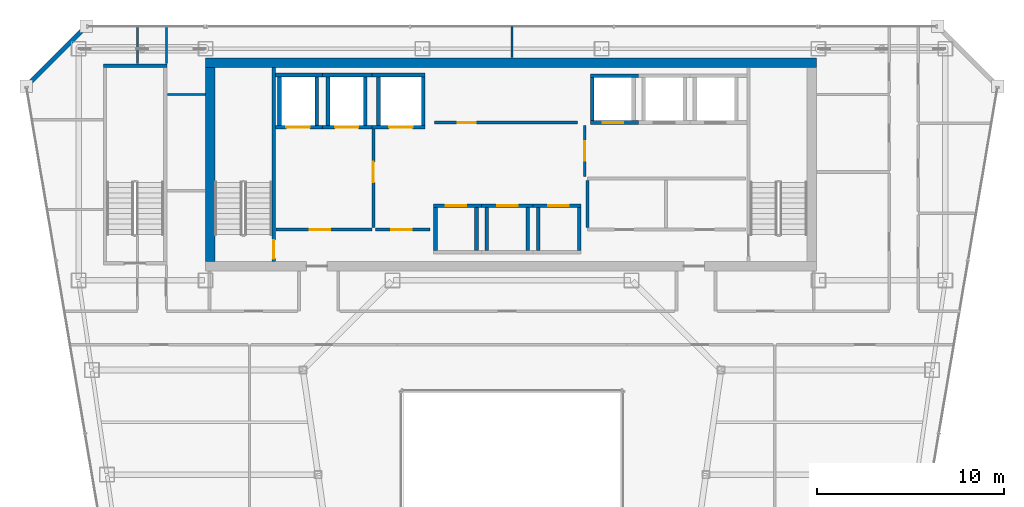
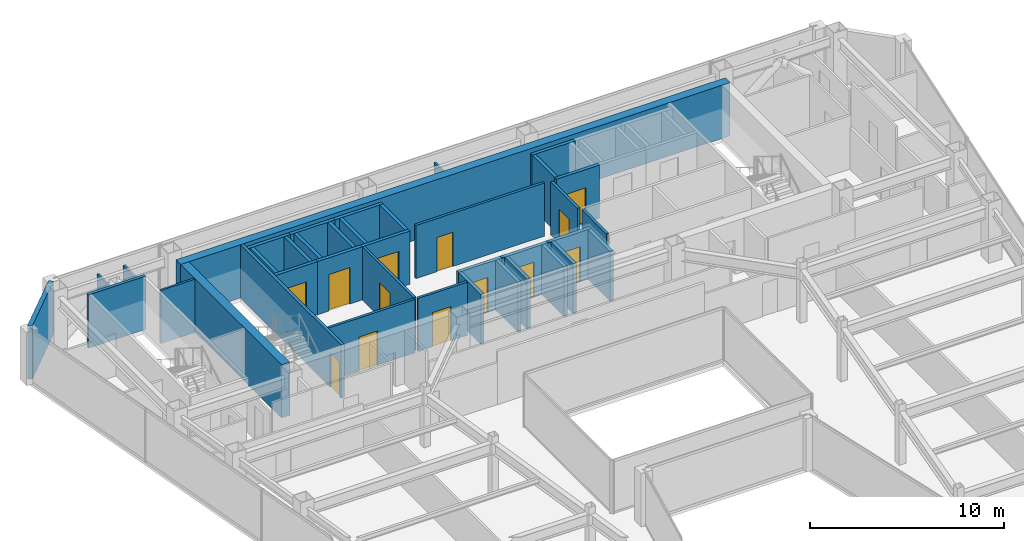
# One storey, part 29 of 34: 39 walls, 13 doors, 13 openings.
"""IFC4 building model written with IfcOpenShell, lengths in metres."""

from ifc_helpers import new_model, si_unit, direction, frame, frame_2d, origin, place, context, subcontext, project, spatial, rectangle, extrude, material, layer, layer_set, type_object, element, fill, save


model = new_model("IFC4")

# Units and contexts
model_context = context("Model", 3, precision=1e-05, world=origin(), true_north=direction((0.0, 1.0)))
body_context = subcontext(model_context, "Body", "Model", "MODEL_VIEW")
ifc_project = project(units=[si_unit("LENGTHUNIT", "METRE"), si_unit("AREAUNIT", "SQUARE_METRE"), si_unit("VOLUMEUNIT", "CUBIC_METRE"), si_unit("PLANEANGLEUNIT", "RADIAN"), si_unit("MASSUNIT", "GRAM", prefix="KILO")], contexts=[model_context])

# Site, building, storey
site_placement = place(None, origin())
site = spatial("IfcSite", under=ifc_project, at=site_placement, CompositionType="ELEMENT")
building_placement = place(site_placement, origin())
building = spatial("IfcBuilding", under=site, at=building_placement, Name="Saevonmaru Cultural Tower", CompositionType="ELEMENT")
storey_placement = place(building_placement, frame((0.0, 0.0, 220.800048828125)))
storey = spatial("IfcBuildingStorey", under=building, at=storey_placement, Name="L51", CompositionType="ELEMENT", Elevation=220.800048828125)

# Walls
ifc_material_1 = material(Name="Concrete C60/75", Category="concrete")
ifc_layer_1 = layer(ifc_material_1, 0.5, Name="Concrete C60/75")
ifc_layer_set_1 = layer_set([ifc_layer_1], Name="Concrete C60/75")
wall_type_1 = type_object("IfcWallType", Name="WL-CORE-500", PredefinedType="SHEAR", material=ifc_layer_set_1)
wall_1_placement = place(storey_placement, frame((13.60009765625, 54.050048828125, 0.0), z_axis=(0.0, 0.0, 1.0), x_axis=(1.0, 0.0, 0.0)))
element("IfcWall", 1, at=wall_1_placement, inside=storey, type_object=wall_type_1, Name="L51 Tower RC core shear wall N", PredefinedType="SHEAR", context=body_context, shape_type="SweptSolid", body=[
    extrude(rectangle(XDim=32.699951171875, YDim=0.5, at=frame_2d((16.35009765625, 0.0))), origin(), (0.0, 0.0, 1.0), 3.349853515625),
])
wall_2_placement = place(storey_placement, frame((13.85009765625, 43.39990234375, 0.0), z_axis=(0.0, 0.0, 1.0), x_axis=(0.0, 1.0, 0.0)))
element("IfcWall", 2, at=wall_2_placement, inside=storey, type_object=wall_type_1, Name="L51 Tower RC core shear wall W", PredefinedType="SHEAR", context=body_context, shape_type="SweptSolid", body=[
    extrude(rectangle(XDim=10.400146484375, YDim=0.5, at=frame_2d((5.2001953125, 0.0))), origin(), (0.0, 0.0, 1.0), 3.349853515625),
])

# Wall, opening, door
ifc_material_2 = material(Name="Gypsum Fireboard Partition", Category="gypsum")
ifc_layer_2 = layer(ifc_material_2, 0.14990234375, Name="Gypsum Fireboard Partition")
ifc_layer_set_2 = layer_set([ifc_layer_2], Name="Gypsum Fireboard Partition")
wall_type_2 = type_object("IfcWallType", Name="WL-CORE-PART-150", PredefinedType="PARTITIONING", material=ifc_layer_set_2)
wall_3_placement = place(storey_placement, frame((17.360107421875, 45.1201171875, 0.0), z_axis=(0.0, 0.0, 1.0), x_axis=(1.0, 0.0, 0.0)))
wall_3 = element("IfcWall", 3, at=wall_3_placement, inside=storey, type_object=wall_type_2, Name="L51 Firefighting Lift Lobby South Wall", PredefinedType="PARTITIONING", context=body_context, shape_type="SweptSolid", body=[
    extrude(rectangle(XDim=5.139892578125, YDim=0.14990234375, at=frame_2d((2.56982421875, 0.0))), origin(), (0.0, 0.0, 1.0), 3.349853515625),
])
opening_1_placement = place(wall_3_placement, frame((1.800048828125, 0.0, 0.0)))
opening_1 = element("IfcOpeningElement", 4, at=opening_1_placement, cuts=wall_3, Name="Opening FD-2", PredefinedType="OPENING", context=body_context, shape_type="SweptSolid", body=[
    extrude(rectangle(XDim=1.10009765625, YDim=2.14990234375, at=frame_2d((0.550048828125, 1.074951171875))), frame((0.0, 0.0849609375, 0.0), z_axis=(0.0, -1.0, 0.0), x_axis=(1.0, 0.0, 0.0)), (0.0, 0.0, 1.0), 0.169921875),
])
ifc_material_3 = material(Name="Satin Bronze Anodised Aluminium", Category="aluminium")
door_type_1 = type_object("IfcDoorType", Name="DR-FD60-1100", OperationType="SINGLE_SWING_LEFT", PredefinedType="DOOR", material=ifc_material_3)
door_1_placement = place(opening_1_placement, origin())
door_1 = element("IfcDoor", 5, at=door_1_placement, inside=storey, type_object=door_type_1, Name="L51 Firefighting Lift Lobby South Door", OperationType="SINGLE_SWING_LEFT", OverallHeight=2.14990234375, OverallWidth=1.10009765625, PredefinedType="DOOR", context=body_context, shape_type="SweptSolid", body=[
    extrude(rectangle(XDim=1.10009765625, YDim=2.14990234375, at=frame_2d((0.550048828125, 1.074951171875))), frame((0.0, 0.02490234375, 0.0), z_axis=(0.0, -1.0, 0.0), x_axis=(1.0, 0.0, 0.0)), (0.0, 0.0, 1.0), 0.050048828125),
])
fill(opening_1, door_1)

wall_4_placement = place(storey_placement, frame((22.580078125, 50.550048828125, 0.0), z_axis=(0.0, 0.0, 1.0), x_axis=(0.0, -1.0, 0.0)))
wall_4 = element("IfcWall", 6, at=wall_4_placement, inside=storey, type_object=wall_type_2, Name="L51 Firefighting Lift Lobby East Wall", PredefinedType="PARTITIONING", context=body_context, shape_type="SweptSolid", body=[
    extrude(rectangle(XDim=5.330078125, YDim=0.14990234375, at=frame_2d((2.6650390625, 0.0))), origin(), (0.0, 0.0, 1.0), 3.349853515625),
])
opening_2_placement = place(wall_4_placement, frame((1.800048828125, 0.0, 0.0)))
opening_2 = element("IfcOpeningElement", 7, at=opening_2_placement, cuts=wall_4, Name="Opening FD-2", PredefinedType="OPENING", context=body_context, shape_type="SweptSolid", body=[
    extrude(rectangle(XDim=1.10009765625, YDim=2.14990234375, at=frame_2d((0.550048828125, 1.074951171875))), frame((0.0, 0.0849609375, 0.0), z_axis=(0.0, -1.0, 0.0), x_axis=(1.0, 0.0, 0.0)), (0.0, 0.0, 1.0), 0.169921875),
])
door_2_placement = place(opening_2_placement, origin())
door_2 = element("IfcDoor", 8, at=door_2_placement, inside=storey, type_object=door_type_1, Name="L51 Firefighting Lift Lobby East Door", OperationType="SINGLE_SWING_LEFT", OverallHeight=2.14990234375, OverallWidth=1.10009765625, PredefinedType="DOOR", context=body_context, shape_type="SweptSolid", body=[
    extrude(rectangle(XDim=1.10009765625, YDim=2.14990234375, at=frame_2d((0.550048828125, 1.074951171875))), frame((0.0, 0.02490234375, 0.0), z_axis=(0.0, -1.0, 0.0), x_axis=(1.0, 0.0, 0.0)), (0.0, 0.0, 1.0), 0.050048828125),
])
fill(opening_2, door_2)

wall_5_placement = place(storey_placement, frame((22.679931640625, 45.1201171875, 0.0), z_axis=(0.0, 0.0, 1.0), x_axis=(1.0, 0.0, 0.0)))
wall_5 = element("IfcWall", 9, at=wall_5_placement, inside=storey, type_object=wall_type_2, Name="L51 Service Lift Vestibule Wall", PredefinedType="PARTITIONING", context=body_context, shape_type="SweptSolid", body=[
    extrude(rectangle(XDim=2.920166015625, YDim=0.14990234375, at=frame_2d((1.4599609375, 0.0))), origin(), (0.0, 0.0, 1.0), 3.349853515625),
])
opening_3_placement = place(wall_5_placement, frame((0.85009765625, 0.0, 0.0)))
opening_3 = element("IfcOpeningElement", 10, at=opening_3_placement, cuts=wall_5, Name="Opening FD-2", PredefinedType="OPENING", context=body_context, shape_type="SweptSolid", body=[
    extrude(rectangle(XDim=1.10009765625, YDim=2.14990234375, at=frame_2d((0.550048828125, 1.074951171875))), frame((0.0, 0.0849609375, 0.0), z_axis=(0.0, -1.0, 0.0), x_axis=(1.0, 0.0, 0.0)), (0.0, 0.0, 1.0), 0.169921875),
])
door_3_placement = place(opening_3_placement, origin())
door_3 = element("IfcDoor", 11, at=door_3_placement, inside=storey, type_object=door_type_1, Name="L51 Service Lift Vestibule Door", OperationType="SINGLE_SWING_LEFT", OverallHeight=2.14990234375, OverallWidth=1.10009765625, PredefinedType="DOOR", context=body_context, shape_type="SweptSolid", body=[
    extrude(rectangle(XDim=1.10009765625, YDim=2.14990234375, at=frame_2d((0.550048828125, 1.074951171875))), frame((0.0, 0.02490234375, 0.0), z_axis=(0.0, -1.0, 0.0), x_axis=(1.0, 0.0, 0.0)), (0.0, 0.0, 1.0), 0.050048828125),
])
fill(opening_3, door_3)

wall_6_placement = place(storey_placement, frame((33.89990234375, 47.949951171875, 0.0), z_axis=(0.0, 0.0, 1.0), x_axis=(0.0, 1.0, 0.0)))
wall_6 = element("IfcWall", 12, at=wall_6_placement, inside=storey, type_object=wall_type_2, Name="L51 Zone Lobby Divider", PredefinedType="PARTITIONING", context=body_context, shape_type="SweptSolid", body=[
    extrude(rectangle(XDim=2.75, YDim=0.14990234375, at=frame_2d((1.375, 0.0))), origin(), (0.0, 0.0, 1.0), 3.349853515625),
])
opening_4_placement = place(wall_6_placement, frame((0.85009765625, 0.0, 0.0)))
opening_4 = element("IfcOpeningElement", 13, at=opening_4_placement, cuts=wall_6, Name="Opening ID-1", PredefinedType="OPENING", context=body_context, shape_type="SweptSolid", body=[
    extrude(rectangle(XDim=1.050048828125, YDim=2.14990234375, at=frame_2d((0.52490234375, 1.074951171875))), frame((0.0, 0.0849609375, 0.0), z_axis=(0.0, -1.0, 0.0), x_axis=(1.0, 0.0, 0.0)), (0.0, 0.0, 1.0), 0.169921875),
])
door_type_2 = type_object("IfcDoorType", Name="DR-INT-1050", OperationType="SINGLE_SWING_LEFT", PredefinedType="DOOR", material=ifc_material_3)
door_4_placement = place(opening_4_placement, origin())
door_4 = element("IfcDoor", 14, at=door_4_placement, inside=storey, type_object=door_type_2, Name="L51 Inter-Lobby Link Door", OperationType="SINGLE_SWING_LEFT", OverallHeight=2.14990234375, OverallWidth=1.050048828125, PredefinedType="DOOR", context=body_context, shape_type="SweptSolid", body=[
    extrude(rectangle(XDim=1.050048828125, YDim=2.14990234375, at=frame_2d((0.52490234375, 1.074951171875))), frame((0.0, 0.02490234375, 0.0), z_axis=(0.0, -1.0, 0.0), x_axis=(1.0, 0.0, 0.0)), (0.0, 0.0, 1.0), 0.050048828125),
])
fill(opening_4, door_4)

# Wall
wall_7_placement = place(storey_placement, frame((34.050048828125, 45.219970703125, 0.0), z_axis=(0.0, 0.0, 1.0), x_axis=(0.0, 1.0, 0.0)))
element("IfcWall", 15, at=wall_7_placement, inside=storey, type_object=wall_type_2, Name="L51 Core Plant West Wall", PredefinedType="PARTITIONING", context=body_context, shape_type="SweptSolid", body=[
    extrude(rectangle(XDim=2.530029296875, YDim=0.14990234375, at=frame_2d((1.26513671875, 0.0))), origin(), (0.0, 0.0, 1.0), 3.349853515625),
])

# Wall, opening, door
wall_8_placement = place(storey_placement, frame((25.85009765625, 50.85009765625, 0.0), z_axis=(0.0, 0.0, 1.0), x_axis=(1.0, 0.0, 0.0)))
wall_8 = element("IfcWall", 16, at=wall_8_placement, inside=storey, type_object=wall_type_2, Name="L51 Reclaimed Core Room South Wall", PredefinedType="PARTITIONING", context=body_context, shape_type="SweptSolid", body=[
    extrude(rectangle(XDim=7.64990234375, YDim=0.14990234375, at=frame_2d((3.824951171875, 0.0))), origin(), (0.0, 0.0, 1.0), 3.349853515625),
])
opening_5_placement = place(wall_8_placement, frame((1.25, 0.0, 0.0)))
opening_5 = element("IfcOpeningElement", 17, at=opening_5_placement, cuts=wall_8, Name="Opening FD-4", PredefinedType="OPENING", context=body_context, shape_type="SweptSolid", body=[
    extrude(rectangle(XDim=0.949951171875, YDim=2.14990234375, at=frame_2d((0.47509765625, 1.074951171875))), frame((0.0, 0.0849609375, 0.0), z_axis=(0.0, -1.0, 0.0), x_axis=(1.0, 0.0, 0.0)), (0.0, 0.0, 1.0), 0.169921875),
])
door_type_3 = type_object("IfcDoorType", Name="DR-FD60-950", OperationType="SINGLE_SWING_LEFT", PredefinedType="DOOR", material=ifc_material_3)
door_5_placement = place(opening_5_placement, origin())
door_5 = element("IfcDoor", 18, at=door_5_placement, inside=storey, type_object=door_type_3, Name="L51 Reclaimed Archive Vault Door", OperationType="SINGLE_SWING_LEFT", OverallHeight=2.14990234375, OverallWidth=0.949951171875, PredefinedType="DOOR", context=body_context, shape_type="SweptSolid", body=[
    extrude(rectangle(XDim=0.949951171875, YDim=2.14990234375, at=frame_2d((0.47509765625, 1.074951171875))), frame((0.0, 0.02490234375, 0.0), z_axis=(0.0, -1.0, 0.0), x_axis=(1.0, 0.0, 0.0)), (0.0, 0.0, 1.0), 0.050048828125),
])
fill(opening_5, door_5)

# Walls
ifc_material_4 = material(Name="Granite-Clad Precast Concrete C40/50", Category="masonry")
ifc_layer_3 = layer(ifc_material_4, 0.260009765625, Name="Granite-Clad Precast Concrete C40/50")
ifc_layer_set_3 = layer_set([ifc_layer_3], Name="Granite-Clad Precast Concrete C40/50")
wall_type_3 = type_object("IfcWallType", Name="WL-EXT-SPANDREL-260", PredefinedType="STANDARD", material=ifc_layer_set_3)
wall_9_placement = place(storey_placement, frame((7.0869140625, 55.886962890625, 0.0), z_axis=(0.0, 0.0, 1.0), x_axis=(-0.707106781187, -0.707106781187, 0.0)))
element("IfcWall", 19, at=wall_9_placement, inside=storey, type_object=wall_type_3, Name="L51 Chamfer Corner Spandrel Wall E11", PredefinedType="STANDARD", context=body_context, shape_type="SweptSolid", body=[
    extrude(rectangle(XDim=4.205810546875, YDim=0.260009765625, at=frame_2d((2.10302734375, 0.0))), origin(), (0.0, 0.0, 1.0), 3.349853515625),
])
ifc_layer_4 = layer(ifc_material_2, 0.1201171875, Name="Gypsum Fireboard Partition")
ifc_layer_set_4 = layer_set([ifc_layer_4], Name="Gypsum Fireboard Partition")
wall_type_4 = type_object("IfcWallType", Name="WL-PART-GYP-120", PredefinedType="PARTITIONING", material=ifc_layer_set_4)
wall_10_placement = place(storey_placement, frame((11.550048828125, 52.35009765625, 0.0), z_axis=(0.0, 0.0, 1.0), x_axis=(1.0, 0.0, 0.0)))
element("IfcWall", 20, at=wall_10_placement, inside=storey, type_object=wall_type_4, Name="L51 North-West Panorama South Wall", PredefinedType="PARTITIONING", context=body_context, shape_type="SweptSolid", body=[
    extrude(rectangle(XDim=2.030029296875, YDim=0.1201171875, at=frame_2d((1.01513671875, 0.0))), origin(), (0.0, 0.0, 1.0), 3.349853515625),
])
wall_11_placement = place(storey_placement, frame((30.0, 54.320068359375, 0.0), z_axis=(0.0, 0.0, 1.0), x_axis=(0.0, 1.0, 0.0)))
element("IfcWall", 21, at=wall_11_placement, inside=storey, type_object=wall_type_4, Name="L51 North Panorama Center Split", PredefinedType="PARTITIONING", context=body_context, shape_type="SweptSolid", body=[
    extrude(rectangle(XDim=1.675048828125, YDim=0.1201171875, at=frame_2d((0.83740234375, 0.0))), origin(), (0.0, 0.0, 1.0), 2.73486328125),
])
for number, where, z_axis, x_axis, name in (
    (22, (11.5, 54.0, 0.0), (0.0, 0.0, 1.0), (0.0, 1.0, 0.0), "L51 Typography Design Classroom Corridor Wall"),
    (23, (9.949951171875, 54.0, 0.0), (0.0, 0.0, 1.0), (0.0, 1.0, 0.0), "L51 Typography Design Classroom Corridor Wall"),
):
    element("IfcWall", number, at=place(storey_placement, frame(where, z_axis=z_axis, x_axis=x_axis)), inside=storey, type_object=wall_type_4, Name=name, PredefinedType="PARTITIONING", context=body_context, shape_type="SweptSolid", body=[
        extrude(rectangle(XDim=1.9951171875, YDim=0.1201171875, at=frame_2d((0.99755859375, 0.0))), origin(), (0.0, 0.0, 1.0), 2.73486328125),
    ])

# Wall, opening, door
ifc_material_5 = material(Name="Concrete C40/50", Category="concrete")
ifc_layer_5 = layer(ifc_material_5, 0.199951171875, Name="Concrete C40/50")
ifc_layer_set_5 = layer_set([ifc_layer_5], Name="Concrete C40/50")
wall_type_5 = type_object("IfcWallType", Name="WL-SHAFT-200", PredefinedType="SHEAR", material=ifc_layer_set_5)
wall_12_placement = place(storey_placement, frame((17.330078125, 50.60009765625, 0.0), z_axis=(0.0, 0.0, 1.0), x_axis=(1.0, 0.0, 0.0)))
wall_12 = element("IfcWall", 24, at=wall_12_placement, inside=storey, type_object=wall_type_5, Name="L51 Lift FFL-1 Hoistway Wall S", PredefinedType="SHEAR", context=body_context, shape_type="SweptSolid", body=[
    extrude(rectangle(XDim=2.52001953125, YDim=0.199951171875, at=frame_2d((1.260009765625, 0.0))), origin(), (0.0, 0.0, 1.0), 3.349853515625),
])
opening_6_placement = place(wall_12_placement, frame((0.594970703125, 0.0, 0.0)))
opening_6 = element("IfcOpeningElement", 25, at=opening_6_placement, cuts=wall_12, Name="Opening LD-2", PredefinedType="OPENING", context=body_context, shape_type="SweptSolid", body=[
    extrude(rectangle(XDim=1.25, YDim=2.300048828125, at=frame_2d((0.625, 1.14990234375))), frame((0.0, 0.10986328125, 0.0), z_axis=(0.0, -1.0, 0.0), x_axis=(1.0, 0.0, 0.0)), (0.0, 0.0, 1.0), 0.219970703125),
])
ifc_material_6 = material(Name="Stainless Steel 316", Category="steel")
door_type_4 = type_object("IfcDoorType", Name="DR-LIFT-1250", OperationType="SLIDING_TO_LEFT", PredefinedType="DOOR", material=ifc_material_6)
door_6_placement = place(opening_6_placement, origin())
door_6 = element("IfcDoor", 26, at=door_6_placement, inside=storey, type_object=door_type_4, Name="L51 Lift FFL-1 Sliding Landing Door", OperationType="SLIDING_TO_LEFT", OverallHeight=2.300048828125, OverallWidth=1.25, PredefinedType="DOOR", context=body_context, shape_type="SweptSolid", body=[
    extrude(rectangle(XDim=1.25, YDim=2.300048828125, at=frame_2d((0.625, 1.14990234375))), frame((0.0, 0.02490234375, 0.0), z_axis=(0.0, -1.0, 0.0), x_axis=(1.0, 0.0, 0.0)), (0.0, 0.0, 1.0), 0.050048828125),
])
fill(opening_6, door_6)

# Walls
wall_13_placement = place(storey_placement, frame((17.330078125, 53.39990234375, 0.0), z_axis=(0.0, 0.0, 1.0), x_axis=(1.0, 0.0, 0.0)))
element("IfcWall", 27, at=wall_13_placement, inside=storey, type_object=wall_type_5, Name="L51 Lift FFL-1 Hoistway Wall N", PredefinedType="SHEAR", context=body_context, shape_type="SweptSolid", body=[
    extrude(rectangle(XDim=2.52001953125, YDim=0.199951171875, at=frame_2d((1.260009765625, 0.0))), origin(), (0.0, 0.0, 1.0), 3.349853515625),
])
for number, where, z_axis, x_axis, name in (
    (28, (17.550048828125, 50.699951171875, 0.0), (0.0, 0.0, 1.0), (0.0, 1.0, 0.0), "L51 Lift FFL-1 Hoistway Wall W"),
    (29, (19.550048828125, 50.699951171875, 0.0), (0.0, 0.0, 1.0), (0.0, 1.0, 0.0), "L51 Lift FFL-1 Hoistway Wall E"),
):
    element("IfcWall", number, at=place(storey_placement, frame(where, z_axis=z_axis, x_axis=x_axis)), inside=storey, type_object=wall_type_5, Name=name, PredefinedType="SHEAR", context=body_context, shape_type="SweptSolid", body=[
        extrude(rectangle(XDim=2.60009765625, YDim=0.199951171875, at=frame_2d((1.300048828125, 0.0))), origin(), (0.0, 0.0, 1.0), 3.349853515625),
    ])

# Wall, opening, door
wall_14_placement = place(storey_placement, frame((19.85009765625, 50.60009765625, 0.0), z_axis=(0.0, 0.0, 1.0), x_axis=(1.0, 0.0, 0.0)))
wall_14 = element("IfcWall", 30, at=wall_14_placement, inside=storey, type_object=wall_type_5, Name="L51 Lift FFL-2 Hoistway Wall S", PredefinedType="SHEAR", context=body_context, shape_type="SweptSolid", body=[
    extrude(rectangle(XDim=2.64990234375, YDim=0.199951171875, at=frame_2d((1.324951171875, 0.0))), origin(), (0.0, 0.0, 1.0), 3.349853515625),
])
opening_7_placement = place(wall_14_placement, frame((0.675048828125, 0.0, 0.0)))
opening_7 = element("IfcOpeningElement", 31, at=opening_7_placement, cuts=wall_14, Name="Opening LD-2", PredefinedType="OPENING", context=body_context, shape_type="SweptSolid", body=[
    extrude(rectangle(XDim=1.25, YDim=2.300048828125, at=frame_2d((0.625, 1.14990234375))), frame((0.0, 0.10986328125, 0.0), z_axis=(0.0, -1.0, 0.0), x_axis=(1.0, 0.0, 0.0)), (0.0, 0.0, 1.0), 0.219970703125),
])
door_7_placement = place(opening_7_placement, origin())
door_7 = element("IfcDoor", 32, at=door_7_placement, inside=storey, type_object=door_type_4, Name="L51 Lift FFL-2 Sliding Landing Door", OperationType="SLIDING_TO_LEFT", OverallHeight=2.300048828125, OverallWidth=1.25, PredefinedType="DOOR", context=body_context, shape_type="SweptSolid", body=[
    extrude(rectangle(XDim=1.25, YDim=2.300048828125, at=frame_2d((0.625, 1.14990234375))), frame((0.0, 0.02490234375, 0.0), z_axis=(0.0, -1.0, 0.0), x_axis=(1.0, 0.0, 0.0)), (0.0, 0.0, 1.0), 0.050048828125),
])
fill(opening_7, door_7)

# Walls
wall_15_placement = place(storey_placement, frame((19.85009765625, 53.39990234375, 0.0), z_axis=(0.0, 0.0, 1.0), x_axis=(1.0, 0.0, 0.0)))
element("IfcWall", 33, at=wall_15_placement, inside=storey, type_object=wall_type_5, Name="L51 Lift FFL-2 Hoistway Wall N", PredefinedType="SHEAR", context=body_context, shape_type="SweptSolid", body=[
    extrude(rectangle(XDim=2.64990234375, YDim=0.199951171875, at=frame_2d((1.324951171875, 0.0))), origin(), (0.0, 0.0, 1.0), 3.349853515625),
])
for number, where, z_axis, x_axis, name in (
    (34, (20.14990234375, 50.699951171875, 0.0), (0.0, 0.0, 1.0), (0.0, 1.0, 0.0), "L51 Lift FFL-2 Hoistway Wall W"),
    (35, (22.14990234375, 50.699951171875, 0.0), (0.0, 0.0, 1.0), (0.0, 1.0, 0.0), "L51 Lift FFL-2 Hoistway Wall E"),
):
    element("IfcWall", number, at=place(storey_placement, frame(where, z_axis=z_axis, x_axis=x_axis)), inside=storey, type_object=wall_type_5, Name=name, PredefinedType="SHEAR", context=body_context, shape_type="SweptSolid", body=[
        extrude(rectangle(XDim=2.60009765625, YDim=0.199951171875, at=frame_2d((1.300048828125, 0.0))), origin(), (0.0, 0.0, 1.0), 3.349853515625),
    ])

# Wall, opening, door
wall_16_placement = place(storey_placement, frame((22.5, 50.60009765625, 0.0), z_axis=(0.0, 0.0, 1.0), x_axis=(1.0, 0.0, 0.0)))
wall_16 = element("IfcWall", 36, at=wall_16_placement, inside=storey, type_object=wall_type_5, Name="L51 Lift GL-1 Hoistway Wall S", PredefinedType="SHEAR", context=body_context, shape_type="SweptSolid", body=[
    extrude(rectangle(XDim=2.85009765625, YDim=0.199951171875, at=frame_2d((1.425048828125, 0.0))), origin(), (0.0, 0.0, 1.0), 3.349853515625),
])
opening_8_placement = place(wall_16_placement, frame((0.925048828125, 0.0, 0.0)))
opening_8 = element("IfcOpeningElement", 37, at=opening_8_placement, cuts=wall_16, Name="Opening LD-2", PredefinedType="OPENING", context=body_context, shape_type="SweptSolid", body=[
    extrude(rectangle(XDim=1.25, YDim=2.300048828125, at=frame_2d((0.625, 1.14990234375))), frame((0.0, 0.10986328125, 0.0), z_axis=(0.0, -1.0, 0.0), x_axis=(1.0, 0.0, 0.0)), (0.0, 0.0, 1.0), 0.219970703125),
])
door_8_placement = place(opening_8_placement, origin())
door_8 = element("IfcDoor", 38, at=door_8_placement, inside=storey, type_object=door_type_4, Name="L51 Lift GL-1 Sliding Landing Door", OperationType="SLIDING_TO_LEFT", OverallHeight=2.300048828125, OverallWidth=1.25, PredefinedType="DOOR", context=body_context, shape_type="SweptSolid", body=[
    extrude(rectangle(XDim=1.25, YDim=2.300048828125, at=frame_2d((0.625, 1.14990234375))), frame((0.0, 0.02490234375, 0.0), z_axis=(0.0, -1.0, 0.0), x_axis=(1.0, 0.0, 0.0)), (0.0, 0.0, 1.0), 0.050048828125),
])
fill(opening_8, door_8)

# Walls
wall_17_placement = place(storey_placement, frame((22.5, 53.39990234375, 0.0), z_axis=(0.0, 0.0, 1.0), x_axis=(1.0, 0.0, 0.0)))
element("IfcWall", 39, at=wall_17_placement, inside=storey, type_object=wall_type_5, Name="L51 Lift GL-1 Hoistway Wall N", PredefinedType="SHEAR", context=body_context, shape_type="SweptSolid", body=[
    extrude(rectangle(XDim=2.85009765625, YDim=0.199951171875, at=frame_2d((1.425048828125, 0.0))), origin(), (0.0, 0.0, 1.0), 3.349853515625),
])
for number, where, z_axis, x_axis, name in (
    (40, (22.85009765625, 50.699951171875, 0.0), (0.0, 0.0, 1.0), (0.0, 1.0, 0.0), "L51 Lift GL-1 Hoistway Wall W"),
    (41, (25.25, 50.699951171875, 0.0), (0.0, 0.0, 1.0), (0.0, 1.0, 0.0), "L51 Lift GL-1 Hoistway Wall E"),
):
    element("IfcWall", number, at=place(storey_placement, frame(where, z_axis=z_axis, x_axis=x_axis)), inside=storey, type_object=wall_type_5, Name=name, PredefinedType="SHEAR", context=body_context, shape_type="SweptSolid", body=[
        extrude(rectangle(XDim=2.60009765625, YDim=0.199951171875, at=frame_2d((1.300048828125, 0.0))), origin(), (0.0, 0.0, 1.0), 3.349853515625),
    ])

# Wall, opening, door
wall_18_placement = place(storey_placement, frame((25.800048828125, 46.39990234375, 0.0), z_axis=(0.0, 0.0, 1.0), x_axis=(1.0, 0.0, 0.0)))
wall_18 = element("IfcWall", 42, at=wall_18_placement, inside=storey, type_object=wall_type_5, Name="L51 Lift PL-M1 Hoistway Wall N", PredefinedType="SHEAR", context=body_context, shape_type="SweptSolid", body=[
    extrude(rectangle(XDim=2.574951171875, YDim=0.199951171875, at=frame_2d((1.28759765625, 0.0))), origin(), (0.0, 0.0, 1.0), 3.1298828125),
])
opening_9_placement = place(wall_18_placement, frame((0.64990234375, 0.0, 0.0)))
opening_9 = element("IfcOpeningElement", 43, at=opening_9_placement, cuts=wall_18, Name="Opening LD-1", PredefinedType="OPENING", context=body_context, shape_type="SweptSolid", body=[
    extrude(rectangle(XDim=1.10009765625, YDim=2.199951171875, at=frame_2d((0.550048828125, 1.10009765625))), frame((0.0, 0.10986328125, 0.0), z_axis=(0.0, -1.0, 0.0), x_axis=(1.0, 0.0, 0.0)), (0.0, 0.0, 1.0), 0.219970703125),
])
ifc_material_7 = material(Name="Satin Bronze Stainless Steel", Category="steel")
door_type_5 = type_object("IfcDoorType", Name="DR-LIFT-1100", OperationType="SLIDING_TO_LEFT", PredefinedType="DOOR", material=ifc_material_7)
door_9_placement = place(opening_9_placement, origin())
door_9 = element("IfcDoor", 44, at=door_9_placement, inside=storey, type_object=door_type_5, Name="L51 Lift PL-M1 Sliding Landing Door", OperationType="SLIDING_TO_LEFT", OverallHeight=2.199951171875, OverallWidth=1.10009765625, PredefinedType="DOOR", context=body_context, shape_type="SweptSolid", body=[
    extrude(rectangle(XDim=1.10009765625, YDim=2.199951171875, at=frame_2d((0.550048828125, 1.10009765625))), frame((0.0, 0.02490234375, 0.0), z_axis=(0.0, -1.0, 0.0), x_axis=(1.0, 0.0, 0.0)), (0.0, 0.0, 1.0), 0.050048828125),
])
fill(opening_9, door_9)

# Walls
for number, where, z_axis, x_axis, name in (
    (45, (25.89990234375, 44.0, 0.0), (0.0, 0.0, 1.0), (0.0, 1.0, 0.0), "L51 Lift PL-M1 Hoistway Wall W"),
    (46, (28.10009765625, 44.0, 0.0), (0.0, 0.0, 1.0), (0.0, 1.0, 0.0), "L51 Lift PL-M1 Hoistway Wall E"),
):
    element("IfcWall", number, at=place(storey_placement, frame(where, z_axis=z_axis, x_axis=x_axis)), inside=storey, type_object=wall_type_5, Name=name, PredefinedType="SHEAR", context=body_context, shape_type="SweptSolid", body=[
        extrude(rectangle(XDim=2.300048828125, YDim=0.199951171875, at=frame_2d((1.14990234375, 0.0))), origin(), (0.0, 0.0, 1.0), 3.1298828125),
    ])

# Wall, opening, door
wall_19_placement = place(storey_placement, frame((28.375, 46.39990234375, 0.0), z_axis=(0.0, 0.0, 1.0), x_axis=(1.0, 0.0, 0.0)))
wall_19 = element("IfcWall", 47, at=wall_19_placement, inside=storey, type_object=wall_type_5, Name="L51 Lift PL-M2 Hoistway Wall N", PredefinedType="SHEAR", context=body_context, shape_type="SweptSolid", body=[
    extrude(rectangle(XDim=2.75, YDim=0.199951171875, at=frame_2d((1.375, 0.0))), origin(), (0.0, 0.0, 1.0), 3.1298828125),
])
opening_10_placement = place(wall_19_placement, frame((0.824951171875, 0.0, 0.0)))
opening_10 = element("IfcOpeningElement", 48, at=opening_10_placement, cuts=wall_19, Name="Opening LD-1", PredefinedType="OPENING", context=body_context, shape_type="SweptSolid", body=[
    extrude(rectangle(XDim=1.10009765625, YDim=2.199951171875, at=frame_2d((0.550048828125, 1.10009765625))), frame((0.0, 0.10986328125, 0.0), z_axis=(0.0, -1.0, 0.0), x_axis=(1.0, 0.0, 0.0)), (0.0, 0.0, 1.0), 0.219970703125),
])
door_10_placement = place(opening_10_placement, origin())
door_10 = element("IfcDoor", 49, at=door_10_placement, inside=storey, type_object=door_type_5, Name="L51 Lift PL-M2 Sliding Landing Door", OperationType="SLIDING_TO_LEFT", OverallHeight=2.199951171875, OverallWidth=1.10009765625, PredefinedType="DOOR", context=body_context, shape_type="SweptSolid", body=[
    extrude(rectangle(XDim=1.10009765625, YDim=2.199951171875, at=frame_2d((0.550048828125, 1.10009765625))), frame((0.0, 0.02490234375, 0.0), z_axis=(0.0, -1.0, 0.0), x_axis=(1.0, 0.0, 0.0)), (0.0, 0.0, 1.0), 0.050048828125),
])
fill(opening_10, door_10)

# Walls
for number, where, z_axis, x_axis, name in (
    (50, (28.64990234375, 44.0, 0.0), (0.0, 0.0, 1.0), (0.0, 1.0, 0.0), "L51 Lift PL-M2 Hoistway Wall W"),
    (51, (30.85009765625, 44.0, 0.0), (0.0, 0.0, 1.0), (0.0, 1.0, 0.0), "L51 Lift PL-M2 Hoistway Wall E"),
):
    element("IfcWall", number, at=place(storey_placement, frame(where, z_axis=z_axis, x_axis=x_axis)), inside=storey, type_object=wall_type_5, Name=name, PredefinedType="SHEAR", context=body_context, shape_type="SweptSolid", body=[
        extrude(rectangle(XDim=2.300048828125, YDim=0.199951171875, at=frame_2d((1.14990234375, 0.0))), origin(), (0.0, 0.0, 1.0), 3.1298828125),
    ])

# Wall, opening, door
wall_20_placement = place(storey_placement, frame((31.125, 46.39990234375, 0.0), z_axis=(0.0, 0.0, 1.0), x_axis=(1.0, 0.0, 0.0)))
wall_20 = element("IfcWall", 52, at=wall_20_placement, inside=storey, type_object=wall_type_5, Name="L51 Lift PL-M3 Hoistway Wall N", PredefinedType="SHEAR", context=body_context, shape_type="SweptSolid", body=[
    extrude(rectangle(XDim=2.574951171875, YDim=0.199951171875, at=frame_2d((1.28759765625, 0.0))), origin(), (0.0, 0.0, 1.0), 3.1298828125),
])
opening_11_placement = place(wall_20_placement, frame((0.824951171875, 0.0, 0.0)))
opening_11 = element("IfcOpeningElement", 53, at=opening_11_placement, cuts=wall_20, Name="Opening LD-1", PredefinedType="OPENING", context=body_context, shape_type="SweptSolid", body=[
    extrude(rectangle(XDim=1.10009765625, YDim=2.199951171875, at=frame_2d((0.550048828125, 1.10009765625))), frame((0.0, 0.10986328125, 0.0), z_axis=(0.0, -1.0, 0.0), x_axis=(1.0, 0.0, 0.0)), (0.0, 0.0, 1.0), 0.219970703125),
])
door_11_placement = place(opening_11_placement, origin())
door_11 = element("IfcDoor", 54, at=door_11_placement, inside=storey, type_object=door_type_5, Name="L51 Lift PL-M3 Sliding Landing Door", OperationType="SLIDING_TO_LEFT", OverallHeight=2.199951171875, OverallWidth=1.10009765625, PredefinedType="DOOR", context=body_context, shape_type="SweptSolid", body=[
    extrude(rectangle(XDim=1.10009765625, YDim=2.199951171875, at=frame_2d((0.550048828125, 1.10009765625))), frame((0.0, 0.02490234375, 0.0), z_axis=(0.0, -1.0, 0.0), x_axis=(1.0, 0.0, 0.0)), (0.0, 0.0, 1.0), 0.050048828125),
])
fill(opening_11, door_11)

# Walls
for number, where, z_axis, x_axis, name in (
    (55, (31.39990234375, 44.0, 0.0), (0.0, 0.0, 1.0), (0.0, 1.0, 0.0), "L51 Lift PL-M3 Hoistway Wall W"),
    (56, (33.60009765625, 44.0, 0.0), (0.0, 0.0, 1.0), (0.0, 1.0, 0.0), "L51 Lift PL-M3 Hoistway Wall E"),
):
    element("IfcWall", number, at=place(storey_placement, frame(where, z_axis=z_axis, x_axis=x_axis)), inside=storey, type_object=wall_type_5, Name=name, PredefinedType="SHEAR", context=body_context, shape_type="SweptSolid", body=[
        extrude(rectangle(XDim=2.300048828125, YDim=0.199951171875, at=frame_2d((1.14990234375, 0.0))), origin(), (0.0, 0.0, 1.0), 3.1298828125),
    ])

# Wall, opening, door
wall_21_placement = place(storey_placement, frame((34.199951171875, 50.85009765625, 0.0), z_axis=(0.0, 0.0, 1.0), x_axis=(1.0, 0.0, 0.0)))
wall_21 = element("IfcWall", 57, at=wall_21_placement, inside=storey, type_object=wall_type_5, Name="L51 Lift PL-H1 Hoistway Wall S", PredefinedType="SHEAR", context=body_context, shape_type="SweptSolid", body=[
    extrude(rectangle(XDim=2.574951171875, YDim=0.199951171875, at=frame_2d((1.28759765625, 0.0))), origin(), (0.0, 0.0, 1.0), 3.349853515625),
])
opening_12_placement = place(wall_21_placement, frame((0.64990234375, 0.0, 0.0)))
opening_12 = element("IfcOpeningElement", 58, at=opening_12_placement, cuts=wall_21, Name="Opening LD-1", PredefinedType="OPENING", context=body_context, shape_type="SweptSolid", body=[
    extrude(rectangle(XDim=1.10009765625, YDim=2.199951171875, at=frame_2d((0.550048828125, 1.10009765625))), frame((0.0, 0.10986328125, 0.0), z_axis=(0.0, -1.0, 0.0), x_axis=(1.0, 0.0, 0.0)), (0.0, 0.0, 1.0), 0.219970703125),
])
door_12_placement = place(opening_12_placement, origin())
door_12 = element("IfcDoor", 59, at=door_12_placement, inside=storey, type_object=door_type_5, Name="L51 Lift PL-H1 Sliding Landing Door", OperationType="SLIDING_TO_LEFT", OverallHeight=2.199951171875, OverallWidth=1.10009765625, PredefinedType="DOOR", context=body_context, shape_type="SweptSolid", body=[
    extrude(rectangle(XDim=1.10009765625, YDim=2.199951171875, at=frame_2d((0.550048828125, 1.10009765625))), frame((0.0, 0.02490234375, 0.0), z_axis=(0.0, -1.0, 0.0), x_axis=(1.0, 0.0, 0.0)), (0.0, 0.0, 1.0), 0.050048828125),
])
fill(opening_12, door_12)

# Walls
wall_22_placement = place(storey_placement, frame((34.199951171875, 53.35009765625, 0.0), z_axis=(0.0, 0.0, 1.0), x_axis=(1.0, 0.0, 0.0)))
element("IfcWall", 60, at=wall_22_placement, inside=storey, type_object=wall_type_5, Name="L51 Lift PL-H1 Hoistway Wall N", PredefinedType="SHEAR", context=body_context, shape_type="SweptSolid", body=[
    extrude(rectangle(XDim=2.574951171875, YDim=0.199951171875, at=frame_2d((1.28759765625, 0.0))), origin(), (0.0, 0.0, 1.0), 3.349853515625),
])
wall_23_placement = place(storey_placement, frame((34.300048828125, 50.949951171875, 0.0), z_axis=(0.0, 0.0, 1.0), x_axis=(0.0, 1.0, 0.0)))
element("IfcWall", 61, at=wall_23_placement, inside=storey, type_object=wall_type_5, Name="L51 Lift PL-H1 Hoistway Wall W", PredefinedType="SHEAR", context=body_context, shape_type="SweptSolid", body=[
    extrude(rectangle(XDim=2.300048828125, YDim=0.199951171875, at=frame_2d((1.14990234375, 0.0))), origin(), (0.0, 0.0, 1.0), 3.349853515625),
])

# Wall, opening, door
ifc_layer_6 = layer(ifc_material_5, 0.179931640625, Name="Concrete C40/50")
ifc_layer_set_6 = layer_set([ifc_layer_6], Name="Concrete C40/50")
wall_type_6 = type_object("IfcWallType", Name="WL-STSHAFT-180", PredefinedType="SHEAR", material=ifc_layer_set_6)
wall_24_placement = place(storey_placement, frame((17.239990234375, 43.39990234375, 0.0), z_axis=(0.0, 0.0, 1.0), x_axis=(0.0, 1.0, 0.0)))
wall_24 = element("IfcWall", 62, at=wall_24_placement, inside=storey, type_object=wall_type_6, Name="L51 Stair ST-1 Structural Shaft Wall 1", PredefinedType="SHEAR", context=body_context, shape_type="SweptSolid", body=[
    extrude(rectangle(XDim=10.400146484375, YDim=0.179931640625, at=frame_2d((5.2001953125, 0.0))), origin(), (0.0, 0.0, 1.0), 3.349853515625),
])
opening_13_placement = place(wall_24_placement, frame((0.159912109375, 0.0, 0.0)))
opening_13 = element("IfcOpeningElement", 63, at=opening_13_placement, cuts=wall_24, Name="Opening FD-3", PredefinedType="OPENING", context=body_context, shape_type="SweptSolid", body=[
    extrude(rectangle(XDim=1.0, YDim=2.14990234375, at=frame_2d((0.5, 1.074951171875))), frame((0.0, 0.10009765625, 0.0), z_axis=(0.0, -1.0, 0.0), x_axis=(1.0, 0.0, 0.0)), (0.0, 0.0, 1.0), 0.199951171875),
])
door_type_6 = type_object("IfcDoorType", Name="DR-FD60-1000", OperationType="SINGLE_SWING_RIGHT", PredefinedType="DOOR", material=ifc_material_3)
door_13_placement = place(opening_13_placement, origin())
door_13 = element("IfcDoor", 64, at=door_13_placement, inside=storey, type_object=door_type_6, Name="L51 Protected Stair ST-1 Fire Door", OperationType="SINGLE_SWING_RIGHT", OverallHeight=2.14990234375, OverallWidth=1.0, PredefinedType="DOOR", context=body_context, shape_type="SweptSolid", body=[
    extrude(rectangle(XDim=1.0, YDim=2.14990234375, at=frame_2d((0.5, 1.074951171875))), frame((0.0, 0.02490234375, 0.0), z_axis=(0.0, -1.0, 0.0), x_axis=(1.0, 0.0, 0.0)), (0.0, 0.0, 1.0), 0.050048828125),
])
fill(opening_13, door_13)

# Wall
wall_25_placement = place(storey_placement, frame((11.530029296875, 53.889892578125, 0.0), z_axis=(0.0, 0.0, 1.0), x_axis=(-1.0, 0.0, 0.0)))
element("IfcWall", 65, at=wall_25_placement, inside=storey, type_object=wall_type_6, Name="L51 Stair ST-3 Structural Shaft Wall 3", PredefinedType="SHEAR", context=body_context, shape_type="SweptSolid", body=[
    extrude(rectangle(XDim=3.409912109375, YDim=0.179931640625, at=frame_2d((1.705078125, 0.0))), origin(), (0.0, 0.0, 1.0), 3.349853515625),
])

save(model, "model.ifc")
